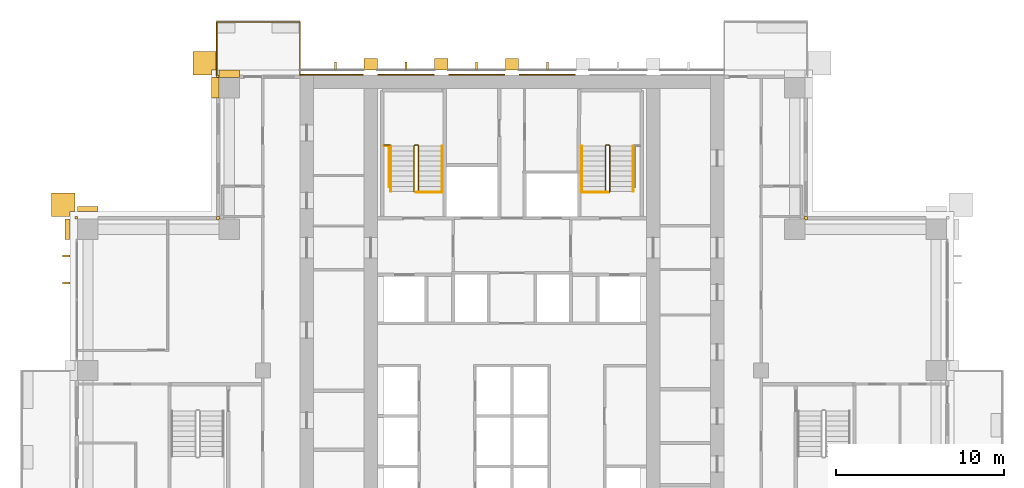
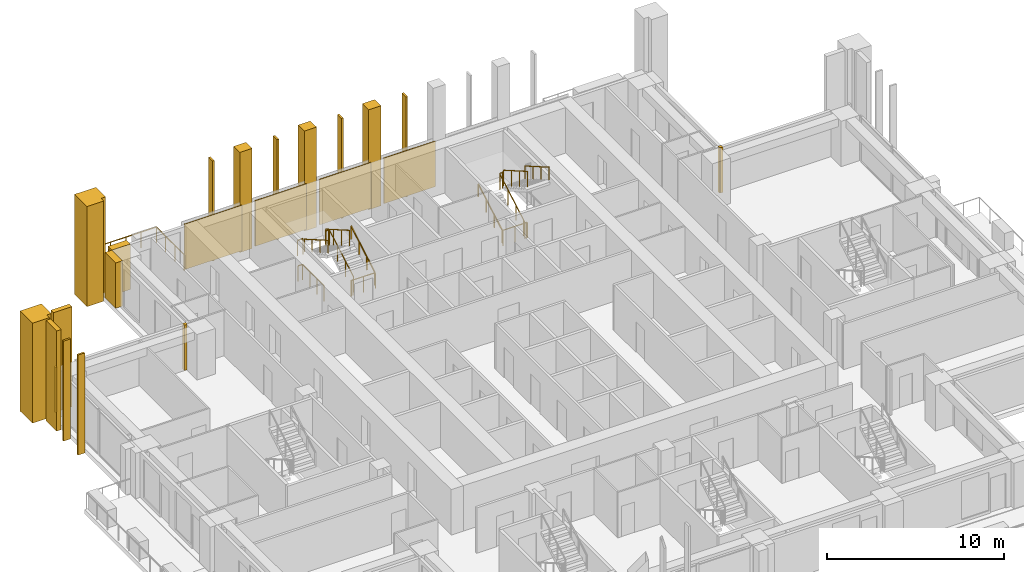
# One storey, part 18 of 19: 23 coverings, 11 railings.
"""IFC4 building model written with IfcOpenShell, lengths in metres."""

import ifcopenshell
import ifcopenshell.guid

model = None  # the IFC model being written
_history = None  # IfcOwnerHistory: only IFC2X3 demands one
_inside = {}  # id of a spatial element -> (the spatial element, [elements in it])
_under = {}  # id of a project, library or spatial element -> (it, [spatial elements below it])
_declared = {}  # id of a project -> (the project, [libraries it declares])
_typed = {}  # id of a type object -> (the type object, [elements of that type])
_made_of = {}  # id of a material, layer set ... -> (it, [elements and type objects made of it])


def new_model(schema):
    """Start an empty IFC model of exactly this schema.

    Asked for "IFC4X3", IfcOpenShell would pick the latest addendum, in which some entities
    have other attributes; the version numbers below select the first issue.
    IFC2X3 requires an IfcOwnerHistory on every rooted entity: one is made here for all.
    """
    global model, _history
    if schema == "IFC4X3":
        model = ifcopenshell.file(schema_version=(4, 3, 0, 0))
    else:
        model = ifcopenshell.file(schema=schema)
    _inside.clear()
    _under.clear()
    _declared.clear()
    _typed.clear()
    _made_of.clear()
    _history = None
    if model.schema == "IFC2X3":
        org = make("IfcOrganization", Name="unknown")
        user = make(
            "IfcPersonAndOrganization",
            ThePerson=make("IfcPerson", FamilyName="unknown"),
            TheOrganization=org,
        )
        app = make(
            "IfcApplication",
            ApplicationDeveloper=org,
            Version="unknown",
            ApplicationFullName="unknown",
            ApplicationIdentifier="unknown",
        )
        _history = make(
            "IfcOwnerHistory",
            OwningUser=user,
            OwningApplication=app,
            ChangeAction="ADDED",
            CreationDate=0,
        )
    return model


def make(cls, **values):
    """One entity of the class cls with the attributes given. An attribute that is None is left unset."""
    return model.create_entity(
        cls, **{name: value for name, value in values.items() if value is not None}
    )


def rooted(cls, **values):
    """An entity with a GlobalId (a new one), such as an element, a storey or a relation."""
    return make(cls, GlobalId=ifcopenshell.guid.new(), OwnerHistory=_history, **values)


def si_unit(unit_type, name, prefix=None):
    """IfcSIUnit, for example si_unit("LENGTHUNIT", "METRE", prefix="MILLI")."""
    return make("IfcSIUnit", UnitType=unit_type, Prefix=prefix, Name=name)


def assignment(units):
    """IfcUnitAssignment: the units of a project."""
    return None if units is None else make("IfcUnitAssignment", Units=units)


def point(xyz):
    """IfcCartesianPoint."""
    return None if xyz is None else make("IfcCartesianPoint", Coordinates=xyz)


def direction(xyz):
    """IfcDirection."""
    return None if xyz is None else make("IfcDirection", DirectionRatios=xyz)


def frame(location, z_axis=None, x_axis=None):
    """IfcAxis2Placement3D, a coordinate frame: its origin and axes. An axis left out is left unset."""
    return make(
        "IfcAxis2Placement3D",
        Location=point(location),
        Axis=direction(z_axis),
        RefDirection=direction(x_axis),
    )


def frame_2d(location, x_axis=None):
    """IfcAxis2Placement2D, a coordinate frame in the plane: its origin and x axis."""
    return make(
        "IfcAxis2Placement2D", Location=point(location), RefDirection=direction(x_axis)
    )


def origin():
    """The frame at (0, 0, 0) with its axes left unset."""
    return frame((0.0, 0.0, 0.0))


def origin_2d():
    """The frame at (0, 0) in the plane with its x axis left unset."""
    return frame_2d((0.0, 0.0))


def place(relative_to, where):
    """IfcLocalPlacement: puts the frame where relative to a parent placement (None: the world)."""
    return make(
        "IfcLocalPlacement", PlacementRelTo=relative_to, RelativePlacement=where
    )


def context(
    kind, dimensions, precision=None, world=None, true_north=None, identifier=None
):
    """IfcGeometricRepresentationContext, for example the 3D "Model" context."""
    return make(
        "IfcGeometricRepresentationContext",
        ContextIdentifier=identifier,
        ContextType=kind,
        CoordinateSpaceDimension=dimensions,
        Precision=precision,
        WorldCoordinateSystem=world,
        TrueNorth=true_north,
    )


def subcontext(parent, identifier, kind, view, scale=None):
    """IfcGeometricRepresentationSubContext, for example "Body" below "Model"."""
    return make(
        "IfcGeometricRepresentationSubContext",
        ContextIdentifier=identifier,
        ContextType=kind,
        ParentContext=parent,
        TargetScale=scale,
        TargetView=view,
    )


def project(units=None, contexts=None):
    """IfcProject with its units and contexts."""
    return rooted(
        "IfcProject",
        Name="project",
        RepresentationContexts=contexts,
        UnitsInContext=assignment(units),
    )


def spatial(cls, under=None, at=None, **own):
    """A site, building, storey or space (cls), placed at a placement, below another one or the project."""
    s = rooted(cls, ObjectPlacement=at, **own)
    if under is not None:
        _under.setdefault(under.id(), (under, []))[1].append(s)
    return s


def polyline(points):
    """IfcPolyline through the points."""
    return make("IfcPolyline", Points=[point(p) for p in points])


def profile(cls, at=None, kind="AREA", **sizes):
    """A parametric profile (cls). Its sizes go by their IFC names, for example OverallWidth=200.0."""
    return make(cls, ProfileType=kind, Position=at, **sizes)


def rectangle(**sizes):
    """IfcRectangleProfileDef."""
    return profile("IfcRectangleProfileDef", **sizes)


def outline(outer, holes=None, kind="AREA"):
    """IfcArbitraryClosedProfileDef: a profile drawn as a closed curve; with holes, ...WithVoids."""
    if holes is None:
        return make("IfcArbitraryClosedProfileDef", ProfileType=kind, OuterCurve=outer)
    return make(
        "IfcArbitraryProfileDefWithVoids",
        ProfileType=kind,
        OuterCurve=outer,
        InnerCurves=holes,
    )


def extrude(swept, where, along, depth):
    """IfcExtrudedAreaSolid: the profile swept, set in the frame where, extruded along a direction by depth."""
    return make(
        "IfcExtrudedAreaSolid",
        SweptArea=swept,
        Position=where,
        ExtrudedDirection=direction(along),
        Depth=depth,
    )


def shape(context_of_items, identifier, shape_type, items):
    """IfcShapeRepresentation: the items that make up one representation, for example the "Body"."""
    return make(
        "IfcShapeRepresentation",
        ContextOfItems=context_of_items,
        RepresentationIdentifier=identifier,
        RepresentationType=shape_type,
        Items=items,
    )


def material(Name=None, Category=None):
    """IfcMaterial."""
    return make("IfcMaterial", Name=Name, Category=Category)


def layer(
    of_material, thickness, ventilated=None, Name=None, Category=None, Priority=None
):
    """IfcMaterialLayer: one layer of a wall or slab, of a material (None: an air gap)."""
    return make(
        "IfcMaterialLayer",
        Material=of_material,
        LayerThickness=thickness,
        IsVentilated=ventilated,
        Name=Name,
        Category=Category,
        Priority=Priority,
    )


def layer_set(layers, Name=None):
    """IfcMaterialLayerSet."""
    return make("IfcMaterialLayerSet", MaterialLayers=layers, LayerSetName=Name)


def made_of(thing, what):
    """Note that an element or type object is made of a material, layer set ...; save() writes the relation."""
    if what is not None:
        _made_of.setdefault(what.id(), (what, []))[1].append(thing)
    return thing


def type_object(cls, material=None, **own):
    """A type object (cls), such as IfcWallType, which elements share."""
    return made_of(rooted(cls, **own), material)


def element(
    cls,
    number,
    at=None,
    inside=None,
    cuts=None,
    type_object=None,
    material=None,
    context=None,
    identifier="Body",
    shape_type=None,
    held_by="IfcProductDefinitionShape",
    body=None,
    shapes=None,
    **own,
):
    """One element of the class cls, such as IfcWall. Its Tag is "e" and its number.

    at: its placement. inside: the storey or other place that contains it. cuts: it is an
    opening in that element (IfcRelVoidsElement). A single representation is given by context,
    identifier, shape_type and body (its items); several are given by shapes. held_by: the class
    of the entity that holds the representations. save() writes the other relations.
    """
    e = rooted(cls, Tag="e%d" % number, ObjectPlacement=at, **own)
    if body is not None:
        shapes = [shape(context, identifier, shape_type, body)]
    if shapes is not None:
        e.Representation = make(held_by, Representations=shapes)
    if inside is not None:
        _inside.setdefault(inside.id(), (inside, []))[1].append(e)
    if cuts is not None:
        rooted(
            "IfcRelVoidsElement", RelatingBuildingElement=cuts, RelatedOpeningElement=e
        )
    if type_object is not None:
        _typed.setdefault(type_object.id(), (type_object, []))[1].append(e)
    return made_of(e, material)


def aggregate(whole, parts):
    """IfcRelAggregates: a whole, such as a stair, and the parts it consists of."""
    return rooted("IfcRelAggregates", RelatingObject=whole, RelatedObjects=parts)


def save(model, path):
    """Write the relations noted so far, then the file.

    IfcRelAggregates (storeys below a building ...), IfcRelContainedInSpatialStructure (elements
    in a storey), IfcRelDefinesByType, IfcRelAssociatesMaterial and IfcRelDeclares: one each for
    every whole, place, type object, material and project.
    """
    for whole, parts in _under.values():
        aggregate(whole, parts)
    for where, things in _inside.values():
        rooted(
            "IfcRelContainedInSpatialStructure",
            RelatedElements=things,
            RelatingStructure=where,
        )
    for kind, things in _typed.values():
        rooted("IfcRelDefinesByType", RelatedObjects=things, RelatingType=kind)
    for what, things in _made_of.values():
        rooted("IfcRelAssociatesMaterial", RelatedObjects=things, RelatingMaterial=what)
    for by, libraries in _declared.values():
        rooted("IfcRelDeclares", RelatingContext=by, RelatedDefinitions=libraries)
    model.write(path)


model = new_model("IFC4")

# Units and contexts
model_context = context("Model", 3, precision=1e-05, world=origin(), true_north=direction((0.0, 1.0)))
body_context = subcontext(model_context, "Body", "Model", "MODEL_VIEW")
ifc_project = project(units=[si_unit("LENGTHUNIT", "METRE"), si_unit("AREAUNIT", "SQUARE_METRE"), si_unit("VOLUMEUNIT", "CUBIC_METRE"), si_unit("PLANEANGLEUNIT", "RADIAN"), si_unit("MASSUNIT", "GRAM", prefix="KILO")], contexts=[model_context])

# Site, building, storey
site_placement = place(None, origin())
site = spatial("IfcSite", under=ifc_project, at=site_placement, CompositionType="ELEMENT")
building_placement = place(site_placement, origin())
building = spatial("IfcBuilding", under=site, at=building_placement, Name="Vermilion Ogive Tower", CompositionType="ELEMENT")
storey_placement = place(building_placement, frame((0.0, 0.0, 104.550048828125)))
storey = spatial("IfcBuildingStorey", under=building, at=storey_placement, Name="L26", CompositionType="ELEMENT", Elevation=104.550048828125)

# Railing
ifc_material_1 = material(Name="Stainless steel and glass", Category="steel")
railing_type_1 = type_object("IfcRailingType", Name="Balcony guard", PredefinedType="GUARDRAIL", material=ifc_material_1)
railing_1_placement = place(storey_placement, frame((-12.60009765625, 21.75, -0.0400390625)))
element("IfcRailing", 1, at=railing_1_placement, inside=storey, type_object=railing_type_1, Name="Guard N201", PredefinedType="GUARDRAIL", context=body_context, shape_type="SweptSolid", body=[
    extrude(rectangle(XDim=0.048095703125, YDim=0.048095703125, at=origin_2d()), frame((0.0, 0.0, 1.076171875), z_axis=(0.0, 1.0, 0.0), x_axis=(-1.0, 0.0, 0.0)), (0.0, 0.0, 1.0), 3.159912109375),
    extrude(rectangle(XDim=0.048095703125, YDim=0.048095703125, at=origin_2d()), frame((0.0, 3.159912109375, 1.076171875), z_axis=(-1.0, 0.0, 0.0), x_axis=(0.0, -1.0, 0.0)), (0.0, 0.0, 1.0), 4.949951171875),
    extrude(rectangle(XDim=0.048095703125, YDim=0.048095703125, at=origin_2d()), frame((-4.949951171875, 3.159912109375, 1.076171875), z_axis=(0.0, -1.0, 0.0), x_axis=(1.0, 0.0, 0.0)), (0.0, 0.0, 1.0), 3.159912109375),
    extrude(rectangle(XDim=0.0419921875, YDim=0.0419921875, at=origin_2d()), origin(), (0.0, 0.0, 1.0), 1.052001953125),
    extrude(rectangle(XDim=0.0419921875, YDim=0.0419921875, at=origin_2d()), frame((0.0, 1.05322265625, 0.0)), (0.0, 0.0, 1.0), 1.052001953125),
    extrude(rectangle(XDim=0.0419921875, YDim=0.0419921875, at=origin_2d()), frame((0.0, 2.106689453125, 0.0)), (0.0, 0.0, 1.0), 1.052001953125),
    extrude(rectangle(XDim=0.0419921875, YDim=0.0419921875, at=origin_2d()), frame((0.0, 3.159912109375, 0.0)), (0.0, 0.0, 1.0), 1.052001953125),
    extrude(rectangle(XDim=0.0419921875, YDim=0.0419921875, at=origin_2d()), frame((-0.989990234375, 3.159912109375, 0.0)), (0.0, 0.0, 1.0), 1.052001953125),
    extrude(rectangle(XDim=0.0419921875, YDim=0.0419921875, at=origin_2d()), frame((-1.97998046875, 3.159912109375, 0.0)), (0.0, 0.0, 1.0), 1.052001953125),
    extrude(rectangle(XDim=0.0419921875, YDim=0.0419921875, at=origin_2d()), frame((-2.969970703125, 3.159912109375, 0.0)), (0.0, 0.0, 1.0), 1.052001953125),
    extrude(rectangle(XDim=0.0419921875, YDim=0.0419921875, at=origin_2d()), frame((-3.9599609375, 3.159912109375, 0.0)), (0.0, 0.0, 1.0), 1.052001953125),
    extrude(rectangle(XDim=0.0419921875, YDim=0.0419921875, at=origin_2d()), frame((-4.949951171875, 3.159912109375, 0.0)), (0.0, 0.0, 1.0), 1.052001953125),
    extrude(rectangle(XDim=0.0419921875, YDim=0.0419921875, at=origin_2d()), frame((-4.949951171875, 2.106689453125, 0.0)), (0.0, 0.0, 1.0), 1.052001953125),
    extrude(rectangle(XDim=0.0419921875, YDim=0.0419921875, at=origin_2d()), frame((-4.949951171875, 1.05322265625, 0.0)), (0.0, 0.0, 1.0), 1.052001953125),
    extrude(rectangle(XDim=0.0419921875, YDim=0.0419921875, at=origin_2d()), frame((-4.949951171875, 0.0, 0.0)), (0.0, 0.0, 1.0), 1.052001953125),
])

# Coverings
ifc_material_2 = material(Name="Glazed ceramic screen")
ifc_layer = layer(ifc_material_2, 0.14990234375)
ifc_layer_set = layer_set([ifc_layer], Name="Ceramic solar screen fin")
covering_type_1 = type_object("IfcCoveringType", Name="Ceramic solar screen fin", PredefinedType="CLADDING", material=ifc_layer_set)
covering_1_placement = place(storey_placement, frame((0.0, 0.0, -0.320068359375)))
element("IfcCovering", 2, at=covering_1_placement, inside=storey, type_object=covering_type_1, Name="Solar screen blade W021", PredefinedType="CLADDING", context=body_context, shape_type="SweptSolid", body=[
    extrude(outline(polyline([(-26.699951171875, 11.06005859375), (-26.699951171875, 10.93994140625), (-26.25, 10.93994140625), (-26.25, 11.06005859375), (-26.699951171875, 11.06005859375)])), origin(), (0.0, 0.0, 1.0), 6.89990234375),
])
covering_2_placement = place(storey_placement, frame((0.0, 0.0, -0.320068359375)))
element("IfcCovering", 3, at=covering_2_placement, inside=storey, type_object=covering_type_1, Name="Solar screen blade W022", PredefinedType="CLADDING", context=body_context, shape_type="SweptSolid", body=[
    extrude(outline(polyline([(-26.699951171875, 9.4599609375), (-26.699951171875, 9.340087890625), (-26.25, 9.340087890625), (-26.25, 9.4599609375), (-26.699951171875, 9.4599609375)])), origin(), (0.0, 0.0, 1.0), 6.89990234375),
])
covering_3_placement = place(storey_placement, frame((0.0, 0.0, -0.320068359375)))
element("IfcCovering", 4, at=covering_3_placement, inside=storey, type_object=covering_type_1, Name="Solar screen blade N1", PredefinedType="CLADDING", context=body_context, shape_type="SweptSolid", body=[
    extrude(outline(polyline([(-10.56005859375, 22.08203125), (-10.43994140625, 22.08203125), (-10.43994140625, 22.531982421875), (-10.56005859375, 22.531982421875), (-10.56005859375, 22.08203125)])), origin(), (0.0, 0.0, 1.0), 6.89990234375),
])
covering_4_placement = place(storey_placement, frame((0.0, 0.0, -0.320068359375)))
element("IfcCovering", 5, at=covering_4_placement, inside=storey, type_object=covering_type_1, Name="Solar screen blade N2", PredefinedType="CLADDING", context=body_context, shape_type="SweptSolid", body=[
    extrude(outline(polyline([(-6.360107421875, 22.08203125), (-6.239990234375, 22.08203125), (-6.239990234375, 22.531982421875), (-6.360107421875, 22.531982421875), (-6.360107421875, 22.08203125)])), origin(), (0.0, 0.0, 1.0), 6.89990234375),
])
covering_5_placement = place(storey_placement, frame((0.0, 0.0, -0.320068359375)))
element("IfcCovering", 6, at=covering_5_placement, inside=storey, type_object=covering_type_1, Name="Solar screen blade N3", PredefinedType="CLADDING", context=body_context, shape_type="SweptSolid", body=[
    extrude(outline(polyline([(-2.159912109375, 22.08203125), (-2.0400390625, 22.08203125), (-2.0400390625, 22.531982421875), (-2.159912109375, 22.531982421875), (-2.159912109375, 22.08203125)])), origin(), (0.0, 0.0, 1.0), 6.89990234375),
])
covering_6_placement = place(storey_placement, frame((0.0, 0.0, -0.320068359375)))
element("IfcCovering", 7, at=covering_6_placement, inside=storey, type_object=covering_type_1, Name="Solar screen blade N4", PredefinedType="CLADDING", context=body_context, shape_type="SweptSolid", body=[
    extrude(outline(polyline([(2.0400390625, 22.08203125), (2.159912109375, 22.08203125), (2.159912109375, 22.531982421875), (2.0400390625, 22.531982421875), (2.0400390625, 22.08203125)])), origin(), (0.0, 0.0, 1.0), 6.89990234375),
])

# Railings
ifc_material_3 = material(Name="Steel S355 painted", Category="steel")
railing_type_2 = type_object("IfcRailingType", Name="Stair guard 1100", PredefinedType="GUARDRAIL", material=ifc_material_3)
railing_2_placement = place(storey_placement, frame((-5.75, 14.800048828125, 0.0)))
element("IfcRailing", 8, at=railing_2_placement, inside=storey, type_object=railing_type_2, Name="L26 ST1 stair guard 4", PredefinedType="GUARDRAIL", context=body_context, shape_type="SweptSolid", body=[
    extrude(rectangle(XDim=0.048095703125, YDim=0.048095703125, at=origin_2d()), frame((0.0, 0.0, 1.076171875), z_axis=(1.0, 0.0, 0.0), x_axis=(0.0, 1.0, 0.0)), (0.0, 0.0, 1.0), 0.14990234375),
    extrude(rectangle(XDim=0.048095703125, YDim=0.048095703125, at=origin_2d()), frame((0.14990234375, 0.0, 1.076171875), z_axis=(0.268603158521, 0.268603158521, 0.925043072762), x_axis=(-0.707106781187, 0.707106781187, 0.0)), (0.0, 0.0, 1.0), 0.186279296875),
    extrude(rectangle(XDim=0.048095703125, YDim=0.048095703125, at=origin_2d()), frame((0.199951171875, 0.050048828125, 1.24853515625), z_axis=(0.0, 0.866903762492, 0.498475542607), x_axis=(-1.0, 0.0, 0.0)), (0.0, 0.0, 1.0), 3.114501953125),
    extrude(rectangle(XDim=0.048095703125, YDim=0.048095703125, at=origin_2d()), frame((0.199951171875, 2.75, 2.80078125), z_axis=(-0.707106781187, 0.707106781187, 0.0), x_axis=(-0.707106781187, -0.707106781187, 0.0)), (0.0, 0.0, 1.0), 0.07080078125),
    extrude(rectangle(XDim=0.048095703125, YDim=0.048095703125, at=origin_2d()), frame((0.14990234375, 2.800048828125, 2.80078125), z_axis=(-1.0, 0.0, 0.0), x_axis=(0.0, -1.0, 0.0)), (0.0, 0.0, 1.0), 0.14990234375),
    extrude(rectangle(XDim=0.048095703125, YDim=0.048095703125, at=origin_2d()), frame((0.0, 2.800048828125, 2.80078125), z_axis=(-0.268277960024, -0.268277960024, 0.925231793839), x_axis=(0.707106781187, -0.707106781187, 0.0)), (0.0, 0.0, 1.0), 0.1865234375),
    extrude(rectangle(XDim=0.048095703125, YDim=0.048095703125, at=origin_2d()), frame((-0.050048828125, 2.75, 2.9736328125), z_axis=(0.0, -0.866903762492, 0.498475542607), x_axis=(1.0, 0.0, 0.0)), (0.0, 0.0, 1.0), 3.114501953125),
    extrude(rectangle(XDim=0.0419921875, YDim=0.0419921875, at=origin_2d()), origin(), (0.0, 0.0, 1.0), 1.052001953125),
    extrude(rectangle(XDim=0.0419921875, YDim=0.0419921875, at=origin_2d()), frame((0.14990234375, 0.0, 0.0)), (0.0, 0.0, 1.0), 1.052001953125),
    extrude(rectangle(XDim=0.0419921875, YDim=0.0419921875, at=origin_2d()), frame((0.199951171875, 0.050048828125, 0.17236328125)), (0.0, 0.0, 1.0), 1.052001953125),
    extrude(rectangle(XDim=0.0419921875, YDim=0.0419921875, at=origin_2d()), frame((0.199951171875, 0.949951171875, 0.68994140625)), (0.0, 0.0, 1.0), 1.052001953125),
    extrude(rectangle(XDim=0.0419921875, YDim=0.0419921875, at=origin_2d()), frame((0.199951171875, 1.85009765625, 1.207275390625)), (0.0, 0.0, 1.0), 1.052001953125),
    extrude(rectangle(XDim=0.0419921875, YDim=0.0419921875, at=origin_2d()), frame((0.199951171875, 2.75, 1.724853515625)), (0.0, 0.0, 1.0), 1.052001953125),
    extrude(rectangle(XDim=0.0419921875, YDim=0.0419921875, at=origin_2d()), frame((0.14990234375, 2.800048828125, 1.724853515625)), (0.0, 0.0, 1.0), 1.052001953125),
    extrude(rectangle(XDim=0.0419921875, YDim=0.0419921875, at=origin_2d()), frame((0.0, 2.800048828125, 1.724853515625)), (0.0, 0.0, 1.0), 1.052001953125),
    extrude(rectangle(XDim=0.0419921875, YDim=0.0419921875, at=origin_2d()), frame((-0.050048828125, 2.75, 1.8974609375)), (0.0, 0.0, 1.0), 1.052001953125),
    extrude(rectangle(XDim=0.0419921875, YDim=0.0419921875, at=origin_2d()), frame((-0.050048828125, 1.85009765625, 2.4150390625)), (0.0, 0.0, 1.0), 1.052001953125),
    extrude(rectangle(XDim=0.0419921875, YDim=0.0419921875, at=origin_2d()), frame((-0.050048828125, 0.949951171875, 2.932373046875)), (0.0, 0.0, 1.0), 1.052001953125),
    extrude(rectangle(XDim=0.0419921875, YDim=0.0419921875, at=origin_2d()), frame((-0.050048828125, 0.050048828125, 3.449951171875)), (0.0, 0.0, 1.0), 1.052001953125),
])
railing_3_placement = place(storey_placement, frame((5.75, 14.800048828125, 0.0)))
element("IfcRailing", 9, at=railing_3_placement, inside=storey, type_object=railing_type_2, Name="L26 ST2 stair guard 4", PredefinedType="GUARDRAIL", context=body_context, shape_type="SweptSolid", body=[
    extrude(rectangle(XDim=0.048095703125, YDim=0.048095703125, at=origin_2d()), frame((0.0, 0.0, 1.076171875), z_axis=(-1.0, 0.0, 0.0), x_axis=(0.0, -1.0, 0.0)), (0.0, 0.0, 1.0), 0.14990234375),
    extrude(rectangle(XDim=0.048095703125, YDim=0.048095703125, at=origin_2d()), frame((-0.14990234375, 0.0, 1.076171875), z_axis=(-0.268603158521, 0.268603158521, 0.925043072762), x_axis=(-0.707106781187, -0.707106781187, 0.0)), (0.0, 0.0, 1.0), 0.186279296875),
    extrude(rectangle(XDim=0.048095703125, YDim=0.048095703125, at=origin_2d()), frame((-0.199951171875, 0.050048828125, 1.24853515625), z_axis=(0.0, 0.866903762492, 0.498475542607), x_axis=(-1.0, 0.0, 0.0)), (0.0, 0.0, 1.0), 3.114501953125),
    extrude(rectangle(XDim=0.048095703125, YDim=0.048095703125, at=origin_2d()), frame((-0.199951171875, 2.75, 2.80078125), z_axis=(0.707106781187, 0.707106781187, 0.0), x_axis=(-0.707106781187, 0.707106781187, 0.0)), (0.0, 0.0, 1.0), 0.07080078125),
    extrude(rectangle(XDim=0.048095703125, YDim=0.048095703125, at=origin_2d()), frame((-0.14990234375, 2.800048828125, 2.80078125), z_axis=(1.0, 0.0, 0.0), x_axis=(0.0, 1.0, 0.0)), (0.0, 0.0, 1.0), 0.14990234375),
    extrude(rectangle(XDim=0.048095703125, YDim=0.048095703125, at=origin_2d()), frame((0.0, 2.800048828125, 2.80078125), z_axis=(0.268277960024, -0.268277960024, 0.925231793839), x_axis=(0.707106781187, 0.707106781187, 0.0)), (0.0, 0.0, 1.0), 0.1865234375),
    extrude(rectangle(XDim=0.048095703125, YDim=0.048095703125, at=origin_2d()), frame((0.050048828125, 2.75, 2.9736328125), z_axis=(0.0, -0.866903762492, 0.498475542607), x_axis=(1.0, 0.0, 0.0)), (0.0, 0.0, 1.0), 3.114501953125),
    extrude(rectangle(XDim=0.0419921875, YDim=0.0419921875, at=origin_2d()), origin(), (0.0, 0.0, 1.0), 1.052001953125),
    extrude(rectangle(XDim=0.0419921875, YDim=0.0419921875, at=origin_2d()), frame((-0.14990234375, 0.0, 0.0)), (0.0, 0.0, 1.0), 1.052001953125),
    extrude(rectangle(XDim=0.0419921875, YDim=0.0419921875, at=origin_2d()), frame((-0.199951171875, 0.050048828125, 0.17236328125)), (0.0, 0.0, 1.0), 1.052001953125),
    extrude(rectangle(XDim=0.0419921875, YDim=0.0419921875, at=origin_2d()), frame((-0.199951171875, 0.949951171875, 0.68994140625)), (0.0, 0.0, 1.0), 1.052001953125),
    extrude(rectangle(XDim=0.0419921875, YDim=0.0419921875, at=origin_2d()), frame((-0.199951171875, 1.85009765625, 1.207275390625)), (0.0, 0.0, 1.0), 1.052001953125),
    extrude(rectangle(XDim=0.0419921875, YDim=0.0419921875, at=origin_2d()), frame((-0.199951171875, 2.75, 1.724853515625)), (0.0, 0.0, 1.0), 1.052001953125),
    extrude(rectangle(XDim=0.0419921875, YDim=0.0419921875, at=origin_2d()), frame((-0.14990234375, 2.800048828125, 1.724853515625)), (0.0, 0.0, 1.0), 1.052001953125),
    extrude(rectangle(XDim=0.0419921875, YDim=0.0419921875, at=origin_2d()), frame((0.0, 2.800048828125, 1.724853515625)), (0.0, 0.0, 1.0), 1.052001953125),
    extrude(rectangle(XDim=0.0419921875, YDim=0.0419921875, at=origin_2d()), frame((0.050048828125, 2.75, 1.8974609375)), (0.0, 0.0, 1.0), 1.052001953125),
    extrude(rectangle(XDim=0.0419921875, YDim=0.0419921875, at=origin_2d()), frame((0.050048828125, 1.85009765625, 2.4150390625)), (0.0, 0.0, 1.0), 1.052001953125),
    extrude(rectangle(XDim=0.0419921875, YDim=0.0419921875, at=origin_2d()), frame((0.050048828125, 0.949951171875, 2.932373046875)), (0.0, 0.0, 1.0), 1.052001953125),
    extrude(rectangle(XDim=0.0419921875, YDim=0.0419921875, at=origin_2d()), frame((0.050048828125, 0.050048828125, 3.449951171875)), (0.0, 0.0, 1.0), 1.052001953125),
])
railing_4_placement = place(storey_placement, frame((-7.60009765625, 17.60009765625, 1.724853515625)))
element("IfcRailing", 10, at=railing_4_placement, inside=storey, type_object=railing_type_2, Name="L26 landing guard", PredefinedType="GUARDRAIL", context=body_context, shape_type="SweptSolid", body=[
    extrude(rectangle(XDim=0.048095703125, YDim=0.048095703125, at=origin_2d()), frame((0.0, 0.0, 1.076171875), z_axis=(1.0, 0.0, 0.0), x_axis=(0.0, 1.0, 0.0)), (0.0, 0.0, 1.0), 0.35009765625),
    extrude(rectangle(XDim=0.0419921875, YDim=0.0419921875, at=origin_2d()), origin(), (0.0, 0.0, 1.0), 1.052001953125),
    extrude(rectangle(XDim=0.0419921875, YDim=0.0419921875, at=origin_2d()), frame((0.35009765625, 0.0, 0.0)), (0.0, 0.0, 1.0), 1.052001953125),
])
railing_5_placement = place(storey_placement, frame((-4.159912109375, 14.7900390625, 0.0)))
element("IfcRailing", 11, at=railing_5_placement, inside=storey, type_object=railing_type_2, Name="L26 stair opening guard", PredefinedType="GUARDRAIL", context=body_context, shape_type="SweptSolid", body=[
    extrude(rectangle(XDim=0.048095703125, YDim=0.048095703125, at=origin_2d()), frame((0.0, 0.0, 1.076171875), z_axis=(-1.0, 0.0, 0.0), x_axis=(0.0, -1.0, 0.0)), (0.0, 0.0, 1.0), 1.5400390625),
    extrude(rectangle(XDim=0.0419921875, YDim=0.0419921875, at=origin_2d()), origin(), (0.0, 0.0, 1.0), 1.052001953125),
    extrude(rectangle(XDim=0.0419921875, YDim=0.0419921875, at=origin_2d()), frame((-0.77001953125, 0.0, 0.0)), (0.0, 0.0, 1.0), 1.052001953125),
    extrude(rectangle(XDim=0.0419921875, YDim=0.0419921875, at=origin_2d()), frame((-1.5400390625, 0.0, 0.0)), (0.0, 0.0, 1.0), 1.052001953125),
])
railing_6_placement = place(storey_placement, frame((-7.3095703125, 15.11865234375, 0.0)))
element("IfcRailing", 12, at=railing_6_placement, inside=storey, type_object=railing_type_2, Name="L26 stair opening guard", PredefinedType="GUARDRAIL", context=body_context, shape_type="SweptSolid", body=[
    extrude(rectangle(XDim=0.048095703125, YDim=0.048095703125, at=origin_2d()), frame((0.0, 0.0, 1.076171875), z_axis=(0.0, 1.0, 0.0), x_axis=(-1.0, 0.0, 0.0)), (0.0, 0.0, 1.0), 2.42431640625),
    extrude(rectangle(XDim=0.048095703125, YDim=0.048095703125, at=origin_2d()), frame((0.0, 2.42431640625, 1.076171875), z_axis=(-1.0, 0.0, 0.0), x_axis=(0.0, -1.0, 0.0)), (0.0, 0.0, 1.0), 0.2900390625),
    extrude(rectangle(XDim=0.0419921875, YDim=0.0419921875, at=origin_2d()), origin(), (0.0, 0.0, 1.0), 1.052001953125),
    extrude(rectangle(XDim=0.0419921875, YDim=0.0419921875, at=origin_2d()), frame((0.0, 0.80810546875, 0.0)), (0.0, 0.0, 1.0), 1.052001953125),
    extrude(rectangle(XDim=0.0419921875, YDim=0.0419921875, at=origin_2d()), frame((0.0, 1.6162109375, 0.0)), (0.0, 0.0, 1.0), 1.052001953125),
    extrude(rectangle(XDim=0.0419921875, YDim=0.0419921875, at=origin_2d()), frame((0.0, 2.42431640625, 0.0)), (0.0, 0.0, 1.0), 1.052001953125),
    extrude(rectangle(XDim=0.0419921875, YDim=0.0419921875, at=origin_2d()), frame((-0.2900390625, 2.42431640625, 0.0)), (0.0, 0.0, 1.0), 1.052001953125),
])
railing_7_placement = place(storey_placement, frame((5.699951171875, 14.7900390625, 0.0)))
element("IfcRailing", 13, at=railing_7_placement, inside=storey, type_object=railing_type_2, Name="L26 stair opening guard", PredefinedType="GUARDRAIL", context=body_context, shape_type="SweptSolid", body=[
    extrude(rectangle(XDim=0.048095703125, YDim=0.048095703125, at=origin_2d()), frame((0.0, 0.0, 1.076171875), z_axis=(-1.0, 0.0, 0.0), x_axis=(0.0, -1.0, 0.0)), (0.0, 0.0, 1.0), 1.5400390625),
    extrude(rectangle(XDim=0.0419921875, YDim=0.0419921875, at=origin_2d()), origin(), (0.0, 0.0, 1.0), 1.052001953125),
    extrude(rectangle(XDim=0.0419921875, YDim=0.0419921875, at=origin_2d()), frame((-0.77001953125, 0.0, 0.0)), (0.0, 0.0, 1.0), 1.052001953125),
    extrude(rectangle(XDim=0.0419921875, YDim=0.0419921875, at=origin_2d()), frame((-1.5400390625, 0.0, 0.0)), (0.0, 0.0, 1.0), 1.052001953125),
])
ifc_material_4 = material(Name="Stainless steel", Category="steel")
railing_type_3 = type_object("IfcRailingType", Name="Stair handrail 900", PredefinedType="HANDRAIL", material=ifc_material_4)
railing_8_placement = place(storey_placement, frame((-4.14990234375, 14.85009765625, 0.17236328125)))
element("IfcRailing", 14, at=railing_8_placement, inside=storey, type_object=railing_type_3, Name="L26 ST1 stair handrail 1", PredefinedType="HANDRAIL", context=body_context, shape_type="SweptSolid", body=[
    extrude(rectangle(XDim=0.048095703125, YDim=0.048095703125, at=origin_2d()), frame((0.0, 0.0, 0.8759765625), z_axis=(0.0, 0.866903762492, 0.498475542607), x_axis=(-1.0, 0.0, 0.0)), (0.0, 0.0, 1.0), 3.114501953125),
    extrude(rectangle(XDim=0.0419921875, YDim=0.0419921875, at=origin_2d()), origin(), (0.0, 0.0, 1.0), 0.851806640625),
    extrude(rectangle(XDim=0.0419921875, YDim=0.0419921875, at=origin_2d()), frame((0.0, 0.89990234375, 0.517578125)), (0.0, 0.0, 1.0), 0.851806640625),
    extrude(rectangle(XDim=0.0419921875, YDim=0.0419921875, at=origin_2d()), frame((0.0, 1.800048828125, 1.034912109375)), (0.0, 0.0, 1.0), 0.851806640625),
    extrude(rectangle(XDim=0.0419921875, YDim=0.0419921875, at=origin_2d()), frame((0.0, 2.699951171875, 1.552490234375)), (0.0, 0.0, 1.0), 0.851806640625),
])
railing_9_placement = place(storey_placement, frame((-7.199951171875, 17.550048828125, 1.8974609375)))
element("IfcRailing", 15, at=railing_9_placement, inside=storey, type_object=railing_type_3, Name="L26 ST1 stair handrail 2", PredefinedType="HANDRAIL", context=body_context, shape_type="SweptSolid", body=[
    extrude(rectangle(XDim=0.048095703125, YDim=0.048095703125, at=origin_2d()), frame((0.0, 0.0, 0.8759765625), z_axis=(0.0, -0.866903762492, 0.498475542607), x_axis=(1.0, 0.0, 0.0)), (0.0, 0.0, 1.0), 3.114501953125),
    extrude(rectangle(XDim=0.0419921875, YDim=0.0419921875, at=origin_2d()), origin(), (0.0, 0.0, 1.0), 0.851806640625),
    extrude(rectangle(XDim=0.0419921875, YDim=0.0419921875, at=origin_2d()), frame((0.0, -0.89990234375, 0.517578125)), (0.0, 0.0, 1.0), 0.851806640625),
    extrude(rectangle(XDim=0.0419921875, YDim=0.0419921875, at=origin_2d()), frame((0.0, -1.800048828125, 1.034912109375)), (0.0, 0.0, 1.0), 0.851806640625),
    extrude(rectangle(XDim=0.0419921875, YDim=0.0419921875, at=origin_2d()), frame((0.0, -2.699951171875, 1.552490234375)), (0.0, 0.0, 1.0), 0.851806640625),
])
railing_10_placement = place(storey_placement, frame((4.14990234375, 14.85009765625, 0.17236328125)))
element("IfcRailing", 16, at=railing_10_placement, inside=storey, type_object=railing_type_3, Name="L26 ST2 stair handrail 1", PredefinedType="HANDRAIL", context=body_context, shape_type="SweptSolid", body=[
    extrude(rectangle(XDim=0.048095703125, YDim=0.048095703125, at=origin_2d()), frame((0.0, 0.0, 0.8759765625), z_axis=(0.0, 0.866903762492, 0.498475542607), x_axis=(-1.0, 0.0, 0.0)), (0.0, 0.0, 1.0), 3.114501953125),
    extrude(rectangle(XDim=0.0419921875, YDim=0.0419921875, at=origin_2d()), origin(), (0.0, 0.0, 1.0), 0.851806640625),
    extrude(rectangle(XDim=0.0419921875, YDim=0.0419921875, at=origin_2d()), frame((0.0, 0.89990234375, 0.517578125)), (0.0, 0.0, 1.0), 0.851806640625),
    extrude(rectangle(XDim=0.0419921875, YDim=0.0419921875, at=origin_2d()), frame((0.0, 1.800048828125, 1.034912109375)), (0.0, 0.0, 1.0), 0.851806640625),
    extrude(rectangle(XDim=0.0419921875, YDim=0.0419921875, at=origin_2d()), frame((0.0, 2.699951171875, 1.552490234375)), (0.0, 0.0, 1.0), 0.851806640625),
])
railing_11_placement = place(storey_placement, frame((7.199951171875, 17.550048828125, 1.8974609375)))
element("IfcRailing", 17, at=railing_11_placement, inside=storey, type_object=railing_type_3, Name="L26 ST2 stair handrail 2", PredefinedType="HANDRAIL", context=body_context, shape_type="SweptSolid", body=[
    extrude(rectangle(XDim=0.048095703125, YDim=0.048095703125, at=origin_2d()), frame((0.0, 0.0, 0.8759765625), z_axis=(0.0, -0.866903762492, 0.498475542607), x_axis=(1.0, 0.0, 0.0)), (0.0, 0.0, 1.0), 3.114501953125),
    extrude(rectangle(XDim=0.0419921875, YDim=0.0419921875, at=origin_2d()), origin(), (0.0, 0.0, 1.0), 0.851806640625),
    extrude(rectangle(XDim=0.0419921875, YDim=0.0419921875, at=origin_2d()), frame((0.0, -0.89990234375, 0.517578125)), (0.0, 0.0, 1.0), 0.851806640625),
    extrude(rectangle(XDim=0.0419921875, YDim=0.0419921875, at=origin_2d()), frame((0.0, -1.800048828125, 1.034912109375)), (0.0, 0.0, 1.0), 0.851806640625),
    extrude(rectangle(XDim=0.0419921875, YDim=0.0419921875, at=origin_2d()), frame((0.0, -2.699951171875, 1.552490234375)), (0.0, 0.0, 1.0), 0.851806640625),
])

# Coverings
ifc_material_5 = material(Name="Stone cladding", Category="masonry")
covering_type_2 = type_object("IfcCoveringType", Name="Stone buttress pier", PredefinedType="CLADDING", material=ifc_material_5)
covering_7_placement = place(storey_placement, frame((0.0, 0.0, -0.320068359375)))
element("IfcCovering", 18, at=covering_7_placement, inside=storey, type_object=covering_type_2, Name="Stone buttress pier N1", PredefinedType="CLADDING", context=body_context, shape_type="SweptSolid", body=[
    extrude(outline(polyline([(-8.0, 22.75), (-8.0, 22.050048828125), (-8.800048828125, 22.050048828125), (-8.800048828125, 22.75), (-8.0, 22.75)])), origin(), (0.0, 0.0, 1.0), 6.89990234375),
])
covering_8_placement = place(storey_placement, frame((0.0, 0.0, -0.320068359375)))
element("IfcCovering", 19, at=covering_8_placement, inside=storey, type_object=covering_type_2, Name="Stone buttress pier N2", PredefinedType="CLADDING", context=body_context, shape_type="SweptSolid", body=[
    extrude(outline(polyline([(-3.800048828125, 22.75), (-3.800048828125, 22.050048828125), (-4.60009765625, 22.050048828125), (-4.60009765625, 22.75), (-3.800048828125, 22.75)])), origin(), (0.0, 0.0, 1.0), 6.89990234375),
])
covering_9_placement = place(storey_placement, frame((0.0, 0.0, -0.320068359375)))
element("IfcCovering", 20, at=covering_9_placement, inside=storey, type_object=covering_type_2, Name="Stone buttress pier N3", PredefinedType="CLADDING", context=body_context, shape_type="SweptSolid", body=[
    extrude(outline(polyline([(0.39990234375, 22.75), (0.39990234375, 22.050048828125), (-0.39990234375, 22.050048828125), (-0.39990234375, 22.75), (0.39990234375, 22.75)])), origin(), (0.0, 0.0, 1.0), 6.89990234375),
])
ifc_material_6 = material(Name="Stone cladding", Category="masonry")
covering_type_3 = type_object("IfcCoveringType", Name="Stone cladding panel", PredefinedType="CLADDING", material=ifc_material_6)
covering_10_placement = place(storey_placement, origin())
element("IfcCovering", 21, at=covering_10_placement, inside=storey, type_object=covering_type_3, Name="Stone cladding panel N1", PredefinedType="CLADDING", context=body_context, shape_type="SweptSolid", body=[
    extrude(outline(polyline([(-12.590087890625, 21.75), (-8.830078125, 21.75), (-8.830078125, 21.81005859375), (-12.590087890625, 21.81005859375), (-12.590087890625, 21.75)])), origin(), (0.0, 0.0, 1.0), 3.1298828125),
])
covering_11_placement = place(storey_placement, origin())
element("IfcCovering", 22, at=covering_11_placement, inside=storey, type_object=covering_type_3, Name="Stone cladding panel N2", PredefinedType="CLADDING", context=body_context, shape_type="SweptSolid", body=[
    extrude(outline(polyline([(-7.969970703125, 21.75), (-4.6298828125, 21.75), (-4.6298828125, 21.81005859375), (-7.969970703125, 21.81005859375), (-7.969970703125, 21.75)])), origin(), (0.0, 0.0, 1.0), 3.1298828125),
])
covering_12_placement = place(storey_placement, origin())
element("IfcCovering", 23, at=covering_12_placement, inside=storey, type_object=covering_type_3, Name="Stone cladding panel N3", PredefinedType="CLADDING", context=body_context, shape_type="SweptSolid", body=[
    extrude(outline(polyline([(-3.77001953125, 21.75), (-0.429931640625, 21.75), (-0.429931640625, 21.81005859375), (-3.77001953125, 21.81005859375), (-3.77001953125, 21.75)])), origin(), (0.0, 0.0, 1.0), 3.1298828125),
])
covering_13_placement = place(storey_placement, origin())
element("IfcCovering", 24, at=covering_13_placement, inside=storey, type_object=covering_type_3, Name="Stone cladding panel N4", PredefinedType="CLADDING", context=body_context, shape_type="SweptSolid", body=[
    extrude(outline(polyline([(0.429931640625, 21.75), (3.77001953125, 21.75), (3.77001953125, 21.81005859375), (0.429931640625, 21.81005859375), (0.429931640625, 21.75)])), origin(), (0.0, 0.0, 1.0), 3.1298828125),
])
ifc_material_7 = material(Name="Stone cladding", Category="masonry")
covering_type_4 = type_object("IfcCoveringType", Name="Stone corner buttress", PredefinedType="CLADDING", material=ifc_material_7)
covering_14_placement = place(storey_placement, frame((0.0, 0.0, -0.320068359375)))
element("IfcCovering", 25, at=covering_14_placement, inside=storey, type_object=covering_type_4, Name="Stone corner buttress X51", PredefinedType="CLADDING", context=body_context, shape_type="SweptSolid", body=[
    extrude(outline(polyline([(-17.550048828125, 23.14990234375), (-17.550048828125, 22.050048828125), (-17.85009765625, 22.050048828125), (-17.85009765625, 21.75), (-18.949951171875, 21.75), (-18.949951171875, 23.14990234375), (-17.550048828125, 23.14990234375)])), origin(), (0.0, 0.0, 1.0), 6.89990234375),
])
covering_15_placement = place(storey_placement, frame((0.0, 0.0, -0.320068359375)))
element("IfcCovering", 26, at=covering_15_placement, inside=storey, type_object=covering_type_4, Name="Stone corner buttress W1", PredefinedType="CLADDING", context=body_context, shape_type="SweptSolid", body=[
    extrude(outline(polyline([(-25.949951171875, 13.64990234375), (-26.25, 13.64990234375), (-26.25, 13.35009765625), (-27.35009765625, 13.35009765625), (-27.35009765625, 14.75), (-25.949951171875, 14.75), (-25.949951171875, 13.64990234375)])), origin(), (0.0, 0.0, 1.0), 6.89990234375),
])
ifc_material_8 = material(Name="Stone cladding", Category="masonry")
covering_type_5 = type_object("IfcCoveringType", Name="Stone pier", PredefinedType="CLADDING", material=ifc_material_8)
covering_16_placement = place(storey_placement, origin())
element("IfcCovering", 27, at=covering_16_placement, inside=storey, type_object=covering_type_5, Name="Stone corner pier X3E1", PredefinedType="CLADDING", context=body_context, shape_type="SweptSolid", body=[
    extrude(outline(polyline([(17.39990234375, 13.14990234375), (17.39990234375, 13.199951171875), (17.35009765625, 13.199951171875), (17.35009765625, 13.35009765625), (17.550048828125, 13.35009765625), (17.550048828125, 13.14990234375), (17.39990234375, 13.14990234375)])), origin(), (0.0, 0.0, 1.0), 3.1298828125),
])
covering_17_placement = place(storey_placement, origin())
element("IfcCovering", 28, at=covering_17_placement, inside=storey, type_object=covering_type_5, Name="Stone corner pier N2E1", PredefinedType="CLADDING", context=body_context, shape_type="SweptSolid", body=[
    extrude(outline(polyline([(-17.39990234375, 21.75), (-17.39990234375, 21.60009765625), (-17.39990234375, 21.60009765625), (-17.550048828125, 21.60009765625), (-17.550048828125, 21.75), (-17.39990234375, 21.75)])), origin(), (0.0, 0.0, 1.0), 3.1298828125),
])
covering_18_placement = place(storey_placement, origin())
element("IfcCovering", 29, at=covering_18_placement, inside=storey, type_object=covering_type_5, Name="Stone corner pier X5E1", PredefinedType="CLADDING", context=body_context, shape_type="SweptSolid", body=[
    extrude(outline(polyline([(-17.35009765625, 13.199951171875), (-17.39990234375, 13.199951171875), (-17.39990234375, 13.14990234375), (-17.550048828125, 13.14990234375), (-17.550048828125, 13.35009765625), (-17.35009765625, 13.35009765625), (-17.35009765625, 13.199951171875)])), origin(), (0.0, 0.0, 1.0), 3.1298828125),
])
covering_19_placement = place(storey_placement, origin())
element("IfcCovering", 30, at=covering_19_placement, inside=storey, type_object=covering_type_5, Name="Stone corner pier X6E1", PredefinedType="CLADDING", context=body_context, shape_type="SweptSolid", body=[
    extrude(outline(polyline([(-25.800048828125, 13.35009765625), (-25.800048828125, 13.199951171875), (-25.949951171875, 13.199951171875), (-25.949951171875, 13.35009765625), (-25.800048828125, 13.35009765625)])), origin(), (0.0, 0.0, 1.0), 3.1298828125),
])
covering_20_placement = place(storey_placement, frame((0.0, 0.0, -0.320068359375)))
element("IfcCovering", 31, at=covering_20_placement, inside=storey, type_object=covering_type_5, Name="Stone pier P-0252+126X6", PredefinedType="CLADDING", context=body_context, shape_type="SweptSolid", body=[
    extrude(outline(polyline([(-25.800048828125, 13.949951171875), (-24.60009765625, 13.949951171875), (-24.60009765625, 13.64990234375), (-25.800048828125, 13.64990234375), (-25.800048828125, 13.949951171875)])), origin(), (0.0, 0.0, 1.0), 6.89990234375),
])
covering_21_placement = place(storey_placement, frame((0.0, 0.0, -0.320068359375)))
element("IfcCovering", 32, at=covering_21_placement, inside=storey, type_object=covering_type_5, Name="Stone pier P-0252+126W", PredefinedType="CLADDING", context=body_context, shape_type="SweptSolid", body=[
    extrude(outline(polyline([(-26.550048828125, 13.199951171875), (-26.25, 13.199951171875), (-26.25, 12.0), (-26.550048828125, 12.0), (-26.550048828125, 13.199951171875)])), origin(), (0.0, 0.0, 1.0), 6.89990234375),
])
covering_22_placement = place(storey_placement, origin())
element("IfcCovering", 33, at=covering_22_placement, inside=storey, type_object=covering_type_5, Name="Stone pier P-0168+210N2", PredefinedType="CLADDING", context=body_context, shape_type="SweptSolid", body=[
    extrude(outline(polyline([(-17.39990234375, 22.050048828125), (-16.199951171875, 22.050048828125), (-16.199951171875, 21.60009765625), (-17.39990234375, 21.60009765625), (-17.39990234375, 22.050048828125)])), origin(), (0.0, 0.0, 1.0), 3.1298828125),
])
covering_23_placement = place(storey_placement, origin())
element("IfcCovering", 34, at=covering_23_placement, inside=storey, type_object=covering_type_5, Name="Stone pier P-0168+210X5", PredefinedType="CLADDING", context=body_context, shape_type="SweptSolid", body=[
    extrude(outline(polyline([(-17.85009765625, 21.60009765625), (-17.39990234375, 21.60009765625), (-17.39990234375, 20.39990234375), (-17.85009765625, 20.39990234375), (-17.85009765625, 21.60009765625)])), origin(), (0.0, 0.0, 1.0), 3.1298828125),
])

save(model, "model.ifc")
